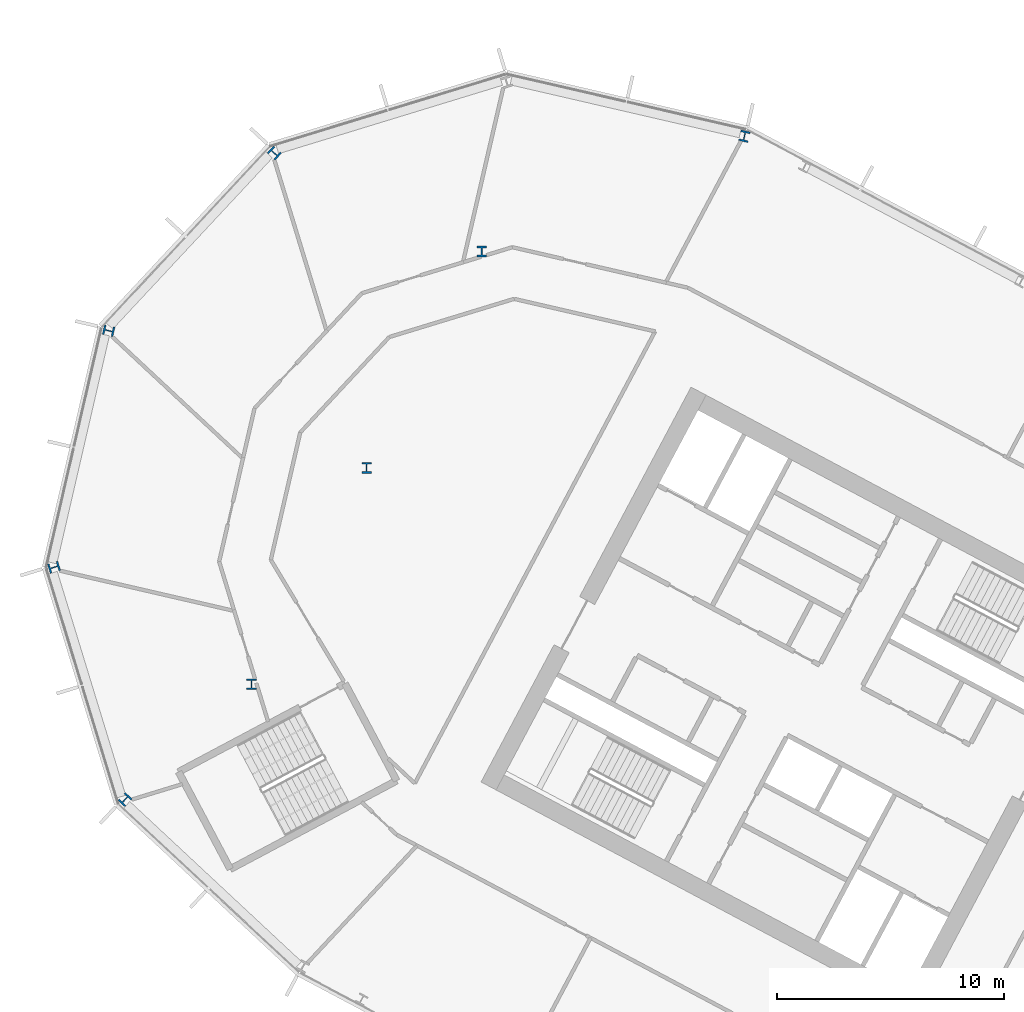
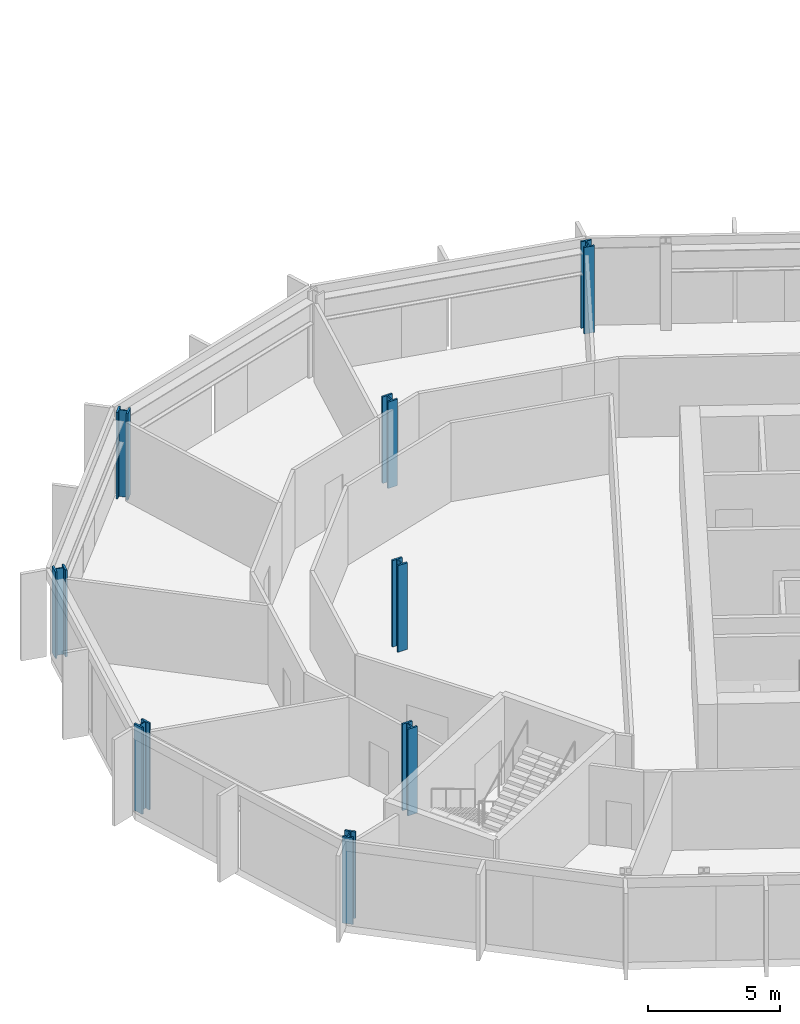
# One storey, part 3 of 28: 8 columns.
"""IFC4 building model written with IfcOpenShell, lengths in metres."""

from ifc_helpers import new_model, si_unit, direction, frame, origin, origin_2d, place, context, subcontext, project, spatial, i_section, extrude, material, material_profile, profile_set, type_object, element, save


model = new_model("IFC4")

# Units and contexts
model_context = context("Model", 3, precision=1e-05, world=origin(), true_north=direction((0.0, 1.0)))
body_context = subcontext(model_context, "Body", "Model", "MODEL_VIEW")
ifc_project = project(units=[si_unit("LENGTHUNIT", "METRE"), si_unit("AREAUNIT", "SQUARE_METRE"), si_unit("VOLUMEUNIT", "CUBIC_METRE"), si_unit("PLANEANGLEUNIT", "RADIAN"), si_unit("MASSUNIT", "GRAM", prefix="KILO")], contexts=[model_context])

# Site, building, storey
site_placement = place(None, origin())
site = spatial("IfcSite", under=ifc_project, at=site_placement, CompositionType="ELEMENT")
building_placement = place(site_placement, origin())
building = spatial("IfcBuilding", under=site, at=building_placement, Name="Cormorant Relay Tower", CompositionType="ELEMENT")
storey_placement = place(building_placement, frame((0.0, 0.0, 150.199951171875)))
storey = spatial("IfcBuildingStorey", under=building, at=storey_placement, Name="L31", CompositionType="ELEMENT", Elevation=150.199951171875)

# Columns
ifc_material = material(Name="Steel ASTM A992 (Fy 345 MPa)", Category="steel")
ifc_material_profile = material_profile(ifc_material, i_section(OverallWidth=0.42431640625, OverallDepth=0.47509765625, WebThickness=0.0478515625, FlangeThickness=0.0771484375, FilletRadius=0.014892578125, at=origin_2d()), Name="W360x634")
ifc_profile_set = profile_set([ifc_material_profile], Name="Steel ASTM A992 (Fy 345 MPa)")
column_type = type_object("IfcColumnType", Name="Column W360x634", PredefinedType="COLUMN", material=ifc_profile_set)
for number, where, z_axis, x_axis, name in (
    (1, (-57.261962890625, 10.173095703125, 0.0), (0.0, 0.0, 1.0), (0.731353701619, -0.681998360062, 0.0), "Column L31-022"),
    (2, (-51.68994140625, 15.251953125, 0.0), (0.0, 0.0, 1.0), (1.0, 0.0, 0.0), "Column L31-028"),
    (3, (-60.389892578125, 20.405029296875, 0.0), (0.0, 0.0, 1.0), (0.292371704723, -0.956304755963, 0.0), "Column L31-030"),
    (4, (-46.6201171875, 24.7880859375, 0.0), (0.0, 0.0, 1.0), (1.0, 0.0, 0.0), "Column L31-033"),
    (5, (-57.98291015625, 30.830078125, 0.0), (0.0, 0.0, 1.0), (-0.224951054344, -0.974370064785, 0.0), "Column L31-037"),
    (6, (-41.549072265625, 34.323974609375, 0.0), (0.0, 0.0, 1.0), (1.0, 0.0, 0.0), "Column L31-041"),
    (7, (-50.68603515625, 38.655029296875, 0.0), (0.0, 0.0, 1.0), (-0.681998360062, -0.731353701619, 0.0), "Column L31-045"),
    (8, (-29.97509765625, 39.39599609375, 0.0), (0.0, 0.0, 1.0), (-0.974370064785, 0.224951054344, 0.0), "Column L31-046"),
):
    element("IfcColumn", number, at=place(storey_placement, frame(where, z_axis=z_axis, x_axis=x_axis)), inside=storey, type_object=column_type, Name=name, PredefinedType="COLUMN", context=body_context, shape_type="SweptSolid", body=[
        extrude(i_section(OverallWidth=0.42431640625, OverallDepth=0.47509765625, WebThickness=0.0478515625, FlangeThickness=0.0771484375, FilletRadius=0.014892578125, at=origin_2d()), origin(), (0.0, 0.0, 1.0), 4.0),
    ])

save(model, "model.ifc")
